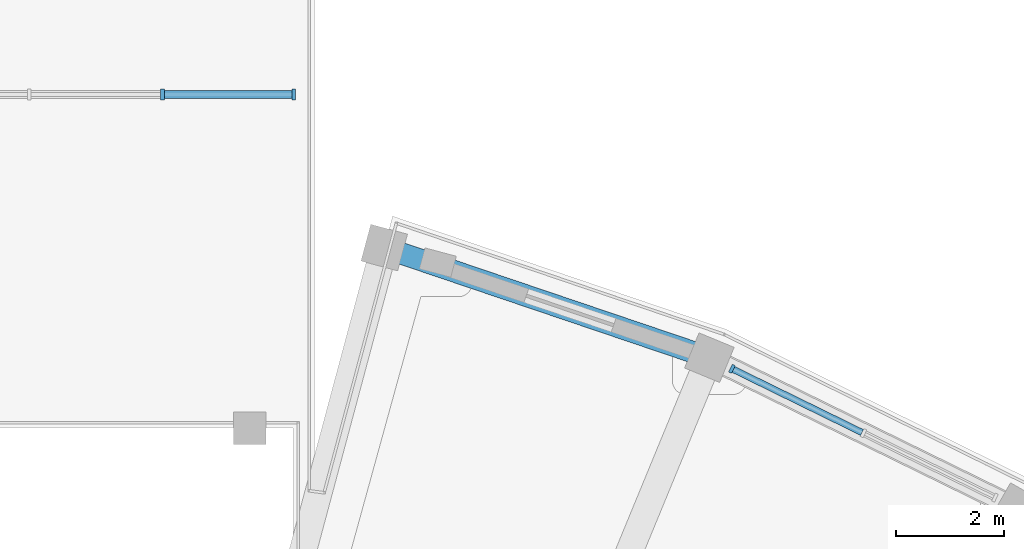
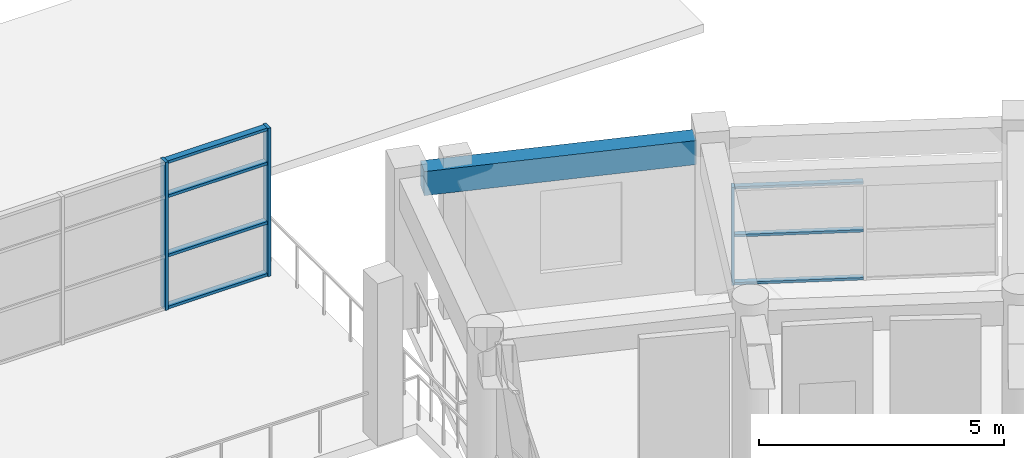
# One storey, part 45 of 87: 10 members, 1 beam, 2 elements without a shape of their own.
"""IFC4 building model written with IfcOpenShell, lengths in metres."""

from ifc_helpers import new_model, si_unit, direction, frame, origin, origin_2d, place, context, subcontext, project, spatial, rectangle, extrude, material, material_profile, profile_set, type_object, element, aggregate, save


model = new_model("IFC4")

# Units and contexts
model_context = context("Model", 3, precision=1e-05, world=origin(), true_north=direction((0.0, 1.0)))
body_context = subcontext(model_context, "Body", "Model", "MODEL_VIEW")
ifc_project = project(units=[si_unit("LENGTHUNIT", "METRE"), si_unit("AREAUNIT", "SQUARE_METRE"), si_unit("VOLUMEUNIT", "CUBIC_METRE"), si_unit("PLANEANGLEUNIT", "RADIAN"), si_unit("MASSUNIT", "GRAM", prefix="KILO")], contexts=[model_context])

# Site, building, storey
site_placement = place(None, origin())
site = spatial("IfcSite", under=ifc_project, at=site_placement, CompositionType="ELEMENT")
building_placement = place(site_placement, origin())
building = spatial("IfcBuilding", under=site, at=building_placement, Name="Saryqyr Civic Hall", CompositionType="ELEMENT")
storey_placement = place(building_placement, frame((0.0, 0.0, 5.10009765625)))
storey = spatial("IfcBuildingStorey", under=building, at=storey_placement, Name="L01", CompositionType="ELEMENT", Elevation=5.10009765625)

# Curtain wall, member
ifc_material_1 = material(Name="Anodised aluminium and triple low-E glass", Category="aluminium")
curtain_wall_type_1 = type_object("IfcCurtainWallType", Name="ENV-CW-STD-38", PredefinedType="NOTDEFINED", material=ifc_material_1)
curtain_wall_1_placement = place(storey_placement, origin())
curtain_wall_1 = element("IfcCurtainWall", 1, at=curtain_wall_1_placement, inside=storey, type_object=curtain_wall_type_1, Name="Curtain wall V6-CWO-L01-08", PredefinedType="NOTDEFINED")
ifc_material_2 = material(Name="Anodised aluminium", Category="aluminium")
ifc_material_profile_1 = material_profile(ifc_material_2, rectangle(XDim=0.06005859375, YDim=0.159912109375, at=origin_2d()), Name="ALU MULLION 60x160")
ifc_profile_set_1 = profile_set([ifc_material_profile_1], Name="Anodised aluminium")
member_type_1 = type_object("IfcMemberType", Name="ENV-CW-MUL-180", PredefinedType="MULLION", material=ifc_profile_set_1)
member_1_placement = place(storey_placement, frame((76.09326171875, 129.0966796875, 0.0), z_axis=(0.0, 0.0, 1.0), x_axis=(0.897970253811, -0.440056159224, 0.0)))
member_1 = element("IfcMember", 2, at=member_1_placement, type_object=member_type_1, Name="CW-38 mullion 1", PredefinedType="MULLION", context=body_context, shape_type="SweptSolid", body=[
    extrude(rectangle(XDim=0.06005859375, YDim=0.159912109375, at=origin_2d()), origin(), (0.0, 0.0, 1.0), 2.449951171875),
])

# Curtain wall, members
curtain_wall_type_2 = type_object("IfcCurtainWallType", Name="ENV-CW-HVY-69", PredefinedType="NOTDEFINED", material=ifc_material_1)
curtain_wall_2_placement = place(storey_placement, origin())
curtain_wall_2 = element("IfcCurtainWall", 3, at=curtain_wall_2_placement, inside=storey, type_object=curtain_wall_type_2, Name="Curtain wall V2-PORTAL-CW-N-L01-2", PredefinedType="NOTDEFINED")
ifc_material_profile_2 = material_profile(ifc_material_2, rectangle(XDim=0.070068359375, YDim=0.199951171875, at=origin_2d()), Name="ALU MULLION 70x200")
ifc_profile_set_2 = profile_set([ifc_material_profile_2], Name="Anodised aluminium")
member_type_2 = type_object("IfcMemberType", Name="ENV-CW-MUL-220", PredefinedType="MULLION", material=ifc_profile_set_2)
member_2_placement = place(storey_placement, frame((65.594482421875, 134.14990234375, 0.0), z_axis=(0.0, 0.0, 1.0), x_axis=(1.0, 0.0, 0.0)))
member_2 = element("IfcMember", 4, at=member_2_placement, type_object=member_type_2, Name="CW-69 mullion 3", PredefinedType="MULLION", context=body_context, shape_type="SweptSolid", body=[
    extrude(rectangle(XDim=0.070068359375, YDim=0.199951171875, at=origin_2d()), origin(), (0.0, 0.0, 1.0), 3.699951171875),
])
member_3_placement = place(storey_placement, frame((68.014892578125, 134.14990234375, 0.0), z_axis=(0.0, 0.0, 1.0), x_axis=(1.0, 0.0, 0.0)))
member_3 = element("IfcMember", 5, at=member_3_placement, type_object=member_type_2, Name="CW-69 mullion 4", PredefinedType="MULLION", context=body_context, shape_type="SweptSolid", body=[
    extrude(rectangle(XDim=0.070068359375, YDim=0.199951171875, at=origin_2d()), origin(), (0.0, 0.0, 1.0), 3.699951171875),
])

# Member
ifc_material_profile_3 = material_profile(ifc_material_2, rectangle(XDim=0.1201171875, YDim=0.06005859375, at=origin_2d()), Name="ALU TRANSOM 120x60")
ifc_profile_set_3 = profile_set([ifc_material_profile_3], Name="Anodised aluminium")
member_type_3 = type_object("IfcMemberType", Name="ENV-CW-TRN-150", PredefinedType="USERDEFINED", material=ifc_profile_set_3)
member_4_placement = place(storey_placement, frame((76.120361328125, 129.08349609375, 0.02978515625), z_axis=(0.897968739043, -0.440059250218, 0.0), x_axis=(0.440059250218, 0.897968739043, 0.0)))
member_4 = element("IfcMember", 6, at=member_4_placement, type_object=member_type_3, Name="CW-38 transom 1.1", ObjectType="TRANSOM", PredefinedType="USERDEFINED", context=body_context, shape_type="SweptSolid", body=[
    extrude(rectangle(XDim=0.1201171875, YDim=0.06005859375, at=origin_2d()), origin(), (0.0, 0.0, 1.0), 2.6396484375),
])

member_5_placement = place(storey_placement, frame((76.120361328125, 129.08349609375, 1.224853515625), z_axis=(0.897968739043, -0.440059250218, 0.0), x_axis=(0.440059250218, 0.897968739043, 0.0)))
member_5 = element("IfcMember", 7, at=member_5_placement, type_object=member_type_3, Name="CW-38 transom 1.2", ObjectType="TRANSOM", PredefinedType="USERDEFINED", context=body_context, shape_type="SweptSolid", body=[
    extrude(rectangle(XDim=0.1201171875, YDim=0.06005859375, at=origin_2d()), origin(), (0.0, 0.0, 1.0), 2.6396484375),
])

member_6_placement = place(storey_placement, frame((76.120361328125, 129.08349609375, 2.419921875), z_axis=(0.897968739043, -0.440059250218, 0.0), x_axis=(0.440059250218, 0.897968739043, 0.0)))
member_6 = element("IfcMember", 8, at=member_6_placement, type_object=member_type_3, Name="CW-38 transom 1.3", ObjectType="TRANSOM", PredefinedType="USERDEFINED", context=body_context, shape_type="SweptSolid", body=[
    extrude(rectangle(XDim=0.1201171875, YDim=0.06005859375, at=origin_2d()), origin(), (0.0, 0.0, 1.0), 2.6396484375),
])

aggregate(curtain_wall_1, [member_1, member_4, member_5, member_6])

ifc_material_profile_4 = material_profile(ifc_material_2, rectangle(XDim=0.14990234375, YDim=0.070068359375, at=origin_2d()), Name="ALU TRANSOM 150x70")
ifc_profile_set_4 = profile_set([ifc_material_profile_4], Name="Anodised aluminium")
member_type_4 = type_object("IfcMemberType", Name="ENV-CW-TRN-180", PredefinedType="USERDEFINED", material=ifc_profile_set_4)
member_7_placement = place(storey_placement, frame((65.62939453125, 134.14990234375, 0.034912109375), z_axis=(1.0, 0.0, 0.0), x_axis=(0.0, 1.0, 0.0)))
member_7 = element("IfcMember", 9, at=member_7_placement, type_object=member_type_4, Name="CW-69 transom 3.1", ObjectType="TRANSOM", PredefinedType="USERDEFINED", context=body_context, shape_type="SweptSolid", body=[
    extrude(rectangle(XDim=0.14990234375, YDim=0.070068359375, at=origin_2d()), origin(), (0.0, 0.0, 1.0), 2.3505859375),
])

member_8_placement = place(storey_placement, frame((65.62939453125, 134.14990234375, 1.331787109375), z_axis=(1.0, 0.0, 0.0), x_axis=(0.0, 1.0, 0.0)))
member_8 = element("IfcMember", 10, at=member_8_placement, type_object=member_type_4, Name="CW-69 transom 3.2", ObjectType="TRANSOM", PredefinedType="USERDEFINED", context=body_context, shape_type="SweptSolid", body=[
    extrude(rectangle(XDim=0.14990234375, YDim=0.070068359375, at=origin_2d()), origin(), (0.0, 0.0, 1.0), 2.3505859375),
])

member_9_placement = place(storey_placement, frame((65.62939453125, 134.14990234375, 2.81201171875), z_axis=(1.0, 0.0, 0.0), x_axis=(0.0, 1.0, 0.0)))
member_9 = element("IfcMember", 11, at=member_9_placement, type_object=member_type_4, Name="CW-69 transom 3.3", ObjectType="TRANSOM", PredefinedType="USERDEFINED", context=body_context, shape_type="SweptSolid", body=[
    extrude(rectangle(XDim=0.14990234375, YDim=0.070068359375, at=origin_2d()), origin(), (0.0, 0.0, 1.0), 2.3505859375),
])

member_10_placement = place(storey_placement, frame((65.62939453125, 134.14990234375, 3.664794921875), z_axis=(1.0, 0.0, 0.0), x_axis=(0.0, 1.0, 0.0)))
member_10 = element("IfcMember", 12, at=member_10_placement, type_object=member_type_4, Name="CW-69 transom 3.4", ObjectType="TRANSOM", PredefinedType="USERDEFINED", context=body_context, shape_type="SweptSolid", body=[
    extrude(rectangle(XDim=0.14990234375, YDim=0.070068359375, at=origin_2d()), origin(), (0.0, 0.0, 1.0), 2.3505859375),
])

aggregate(curtain_wall_2, [member_2, member_3, member_7, member_8, member_9, member_10])

# Beam
ifc_material_3 = material(Name="Concrete C35/45", Category="concrete")
ifc_material_profile_5 = material_profile(ifc_material_3, rectangle(XDim=0.39990234375, YDim=0.60009765625, at=origin_2d()), Name="RC 400x600")
ifc_profile_set_5 = profile_set([ifc_material_profile_5], Name="Concrete C35/45")
beam_type = type_object("IfcBeamType", Name="STR-BM-RC400x600-EXT", PredefinedType="BEAM", material=ifc_profile_set_5)
beam_placement = place(storey_placement, frame((75.36865234375, 129.4052734375, 3.469970703125), z_axis=(-0.947185233553, 0.320686970953, 0.0), x_axis=(-0.320686970953, -0.947185233553, 0.0)))
element("IfcBeam", 13, at=beam_placement, inside=storey, type_object=beam_type, Name="Beam V6-CBM-OUT09-L01", PredefinedType="BEAM", context=body_context, shape_type="SweptSolid", body=[
    extrude(rectangle(XDim=0.39990234375, YDim=0.60009765625, at=origin_2d()), origin(), (0.0, 0.0, 1.0), 5.678466796875),
])

save(model, "model.ifc")
